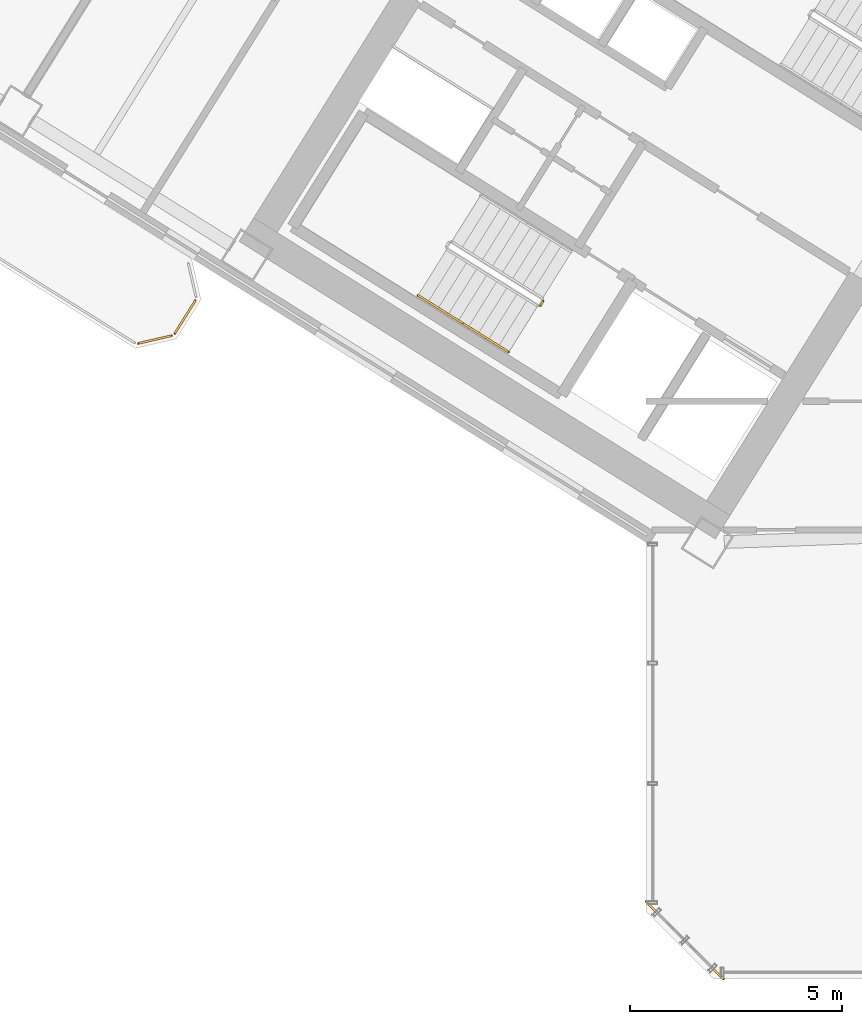
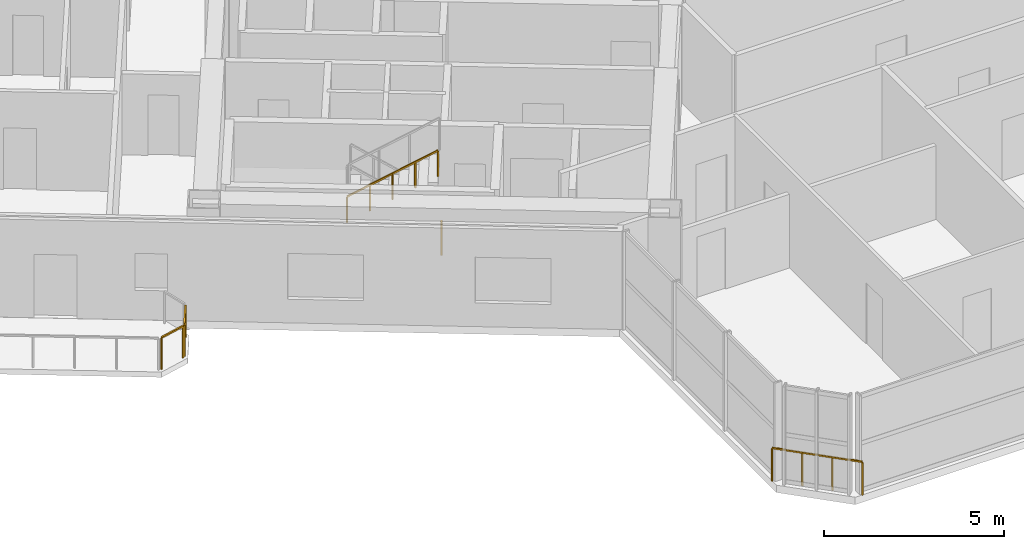
# One storey, part 18 of 22: 6 railings.
"""IFC4 building model written with IfcOpenShell, lengths in metres."""

import ifcopenshell
import ifcopenshell.guid

model = None  # the IFC model being written
_history = None  # IfcOwnerHistory: only IFC2X3 demands one
_inside = {}  # id of a spatial element -> (the spatial element, [elements in it])
_under = {}  # id of a project, library or spatial element -> (it, [spatial elements below it])
_declared = {}  # id of a project -> (the project, [libraries it declares])
_typed = {}  # id of a type object -> (the type object, [elements of that type])
_made_of = {}  # id of a material, layer set ... -> (it, [elements and type objects made of it])


def new_model(schema):
    """Start an empty IFC model of exactly this schema.

    Asked for "IFC4X3", IfcOpenShell would pick the latest addendum, in which some entities
    have other attributes; the version numbers below select the first issue.
    IFC2X3 requires an IfcOwnerHistory on every rooted entity: one is made here for all.
    """
    global model, _history
    if schema == "IFC4X3":
        model = ifcopenshell.file(schema_version=(4, 3, 0, 0))
    else:
        model = ifcopenshell.file(schema=schema)
    _inside.clear()
    _under.clear()
    _declared.clear()
    _typed.clear()
    _made_of.clear()
    _history = None
    if model.schema == "IFC2X3":
        org = make("IfcOrganization", Name="unknown")
        user = make(
            "IfcPersonAndOrganization",
            ThePerson=make("IfcPerson", FamilyName="unknown"),
            TheOrganization=org,
        )
        app = make(
            "IfcApplication",
            ApplicationDeveloper=org,
            Version="unknown",
            ApplicationFullName="unknown",
            ApplicationIdentifier="unknown",
        )
        _history = make(
            "IfcOwnerHistory",
            OwningUser=user,
            OwningApplication=app,
            ChangeAction="ADDED",
            CreationDate=0,
        )
    return model


def make(cls, **values):
    """One entity of the class cls with the attributes given. An attribute that is None is left unset."""
    return model.create_entity(
        cls, **{name: value for name, value in values.items() if value is not None}
    )


def rooted(cls, **values):
    """An entity with a GlobalId (a new one), such as an element, a storey or a relation."""
    return make(cls, GlobalId=ifcopenshell.guid.new(), OwnerHistory=_history, **values)


def si_unit(unit_type, name, prefix=None):
    """IfcSIUnit, for example si_unit("LENGTHUNIT", "METRE", prefix="MILLI")."""
    return make("IfcSIUnit", UnitType=unit_type, Prefix=prefix, Name=name)


def assignment(units):
    """IfcUnitAssignment: the units of a project."""
    return None if units is None else make("IfcUnitAssignment", Units=units)


def point(xyz):
    """IfcCartesianPoint."""
    return None if xyz is None else make("IfcCartesianPoint", Coordinates=xyz)


def direction(xyz):
    """IfcDirection."""
    return None if xyz is None else make("IfcDirection", DirectionRatios=xyz)


def frame(location, z_axis=None, x_axis=None):
    """IfcAxis2Placement3D, a coordinate frame: its origin and axes. An axis left out is left unset."""
    return make(
        "IfcAxis2Placement3D",
        Location=point(location),
        Axis=direction(z_axis),
        RefDirection=direction(x_axis),
    )


def frame_2d(location, x_axis=None):
    """IfcAxis2Placement2D, a coordinate frame in the plane: its origin and x axis."""
    return make(
        "IfcAxis2Placement2D", Location=point(location), RefDirection=direction(x_axis)
    )


def origin():
    """The frame at (0, 0, 0) with its axes left unset."""
    return frame((0.0, 0.0, 0.0))


def origin_2d():
    """The frame at (0, 0) in the plane with its x axis left unset."""
    return frame_2d((0.0, 0.0))


def place(relative_to, where):
    """IfcLocalPlacement: puts the frame where relative to a parent placement (None: the world)."""
    return make(
        "IfcLocalPlacement", PlacementRelTo=relative_to, RelativePlacement=where
    )


def context(
    kind, dimensions, precision=None, world=None, true_north=None, identifier=None
):
    """IfcGeometricRepresentationContext, for example the 3D "Model" context."""
    return make(
        "IfcGeometricRepresentationContext",
        ContextIdentifier=identifier,
        ContextType=kind,
        CoordinateSpaceDimension=dimensions,
        Precision=precision,
        WorldCoordinateSystem=world,
        TrueNorth=true_north,
    )


def subcontext(parent, identifier, kind, view, scale=None):
    """IfcGeometricRepresentationSubContext, for example "Body" below "Model"."""
    return make(
        "IfcGeometricRepresentationSubContext",
        ContextIdentifier=identifier,
        ContextType=kind,
        ParentContext=parent,
        TargetScale=scale,
        TargetView=view,
    )


def project(units=None, contexts=None):
    """IfcProject with its units and contexts."""
    return rooted(
        "IfcProject",
        Name="project",
        RepresentationContexts=contexts,
        UnitsInContext=assignment(units),
    )


def spatial(cls, under=None, at=None, **own):
    """A site, building, storey or space (cls), placed at a placement, below another one or the project."""
    s = rooted(cls, ObjectPlacement=at, **own)
    if under is not None:
        _under.setdefault(under.id(), (under, []))[1].append(s)
    return s


def profile(cls, at=None, kind="AREA", **sizes):
    """A parametric profile (cls). Its sizes go by their IFC names, for example OverallWidth=200.0."""
    return make(cls, ProfileType=kind, Position=at, **sizes)


def rectangle(**sizes):
    """IfcRectangleProfileDef."""
    return profile("IfcRectangleProfileDef", **sizes)


def extrude(swept, where, along, depth):
    """IfcExtrudedAreaSolid: the profile swept, set in the frame where, extruded along a direction by depth."""
    return make(
        "IfcExtrudedAreaSolid",
        SweptArea=swept,
        Position=where,
        ExtrudedDirection=direction(along),
        Depth=depth,
    )


def shape(context_of_items, identifier, shape_type, items):
    """IfcShapeRepresentation: the items that make up one representation, for example the "Body"."""
    return make(
        "IfcShapeRepresentation",
        ContextOfItems=context_of_items,
        RepresentationIdentifier=identifier,
        RepresentationType=shape_type,
        Items=items,
    )


def source(mapping_origin, context_of_items, identifier, shape_type, items):
    """IfcRepresentationMap: a shape defined once, which mapped items show again and again."""
    return make(
        "IfcRepresentationMap",
        MappingOrigin=mapping_origin,
        MappedRepresentation=shape(context_of_items, identifier, shape_type, items),
    )


def transform(
    local_origin,
    x_axis=None,
    y_axis=None,
    z_axis=None,
    scale=None,
    scale2=None,
    scale3=None,
    uniform=True,
):
    """IfcCartesianTransformationOperator3D, or its non-uniform kind. x_axis, y_axis, z_axis: its Axis1, 2, 3."""
    if uniform:
        return make(
            "IfcCartesianTransformationOperator3D",
            Axis1=direction(x_axis),
            Axis2=direction(y_axis),
            LocalOrigin=point(local_origin),
            Scale=scale,
            Axis3=direction(z_axis),
        )
    return make(
        "IfcCartesianTransformationOperator3DnonUniform",
        Axis1=direction(x_axis),
        Axis2=direction(y_axis),
        LocalOrigin=point(local_origin),
        Scale=scale,
        Axis3=direction(z_axis),
        Scale2=scale2,
        Scale3=scale3,
    )


def mapped(mapping_source, mapping_target):
    """IfcMappedItem: shows the shape of a source again, moved by a transform."""
    return make(
        "IfcMappedItem", MappingSource=mapping_source, MappingTarget=mapping_target
    )


def material(Name=None, Category=None):
    """IfcMaterial."""
    return make("IfcMaterial", Name=Name, Category=Category)


def made_of(thing, what):
    """Note that an element or type object is made of a material, layer set ...; save() writes the relation."""
    if what is not None:
        _made_of.setdefault(what.id(), (what, []))[1].append(thing)
    return thing


def type_object(cls, material=None, **own):
    """A type object (cls), such as IfcWallType, which elements share."""
    return made_of(rooted(cls, **own), material)


def element(
    cls,
    number,
    at=None,
    inside=None,
    cuts=None,
    type_object=None,
    material=None,
    context=None,
    identifier="Body",
    shape_type=None,
    held_by="IfcProductDefinitionShape",
    body=None,
    shapes=None,
    **own,
):
    """One element of the class cls, such as IfcWall. Its Tag is "e" and its number.

    at: its placement. inside: the storey or other place that contains it. cuts: it is an
    opening in that element (IfcRelVoidsElement). A single representation is given by context,
    identifier, shape_type and body (its items); several are given by shapes. held_by: the class
    of the entity that holds the representations. save() writes the other relations.
    """
    e = rooted(cls, Tag="e%d" % number, ObjectPlacement=at, **own)
    if body is not None:
        shapes = [shape(context, identifier, shape_type, body)]
    if shapes is not None:
        e.Representation = make(held_by, Representations=shapes)
    if inside is not None:
        _inside.setdefault(inside.id(), (inside, []))[1].append(e)
    if cuts is not None:
        rooted(
            "IfcRelVoidsElement", RelatingBuildingElement=cuts, RelatedOpeningElement=e
        )
    if type_object is not None:
        _typed.setdefault(type_object.id(), (type_object, []))[1].append(e)
    return made_of(e, material)


def aggregate(whole, parts):
    """IfcRelAggregates: a whole, such as a stair, and the parts it consists of."""
    return rooted("IfcRelAggregates", RelatingObject=whole, RelatedObjects=parts)


def save(model, path):
    """Write the relations noted so far, then the file.

    IfcRelAggregates (storeys below a building ...), IfcRelContainedInSpatialStructure (elements
    in a storey), IfcRelDefinesByType, IfcRelAssociatesMaterial and IfcRelDeclares: one each for
    every whole, place, type object, material and project.
    """
    for whole, parts in _under.values():
        aggregate(whole, parts)
    for where, things in _inside.values():
        rooted(
            "IfcRelContainedInSpatialStructure",
            RelatedElements=things,
            RelatingStructure=where,
        )
    for kind, things in _typed.values():
        rooted("IfcRelDefinesByType", RelatedObjects=things, RelatingType=kind)
    for what, things in _made_of.values():
        rooted("IfcRelAssociatesMaterial", RelatedObjects=things, RelatingMaterial=what)
    for by, libraries in _declared.values():
        rooted("IfcRelDeclares", RelatingContext=by, RelatedDefinitions=libraries)
    model.write(path)


model = new_model("IFC4")

# Units and contexts
model_context = context("Model", 3, precision=1e-05, world=origin(), true_north=direction((0.0, 1.0)))
body_context = subcontext(model_context, "Body", "Model", "MODEL_VIEW")
ifc_project = project(units=[si_unit("LENGTHUNIT", "METRE"), si_unit("AREAUNIT", "SQUARE_METRE"), si_unit("VOLUMEUNIT", "CUBIC_METRE"), si_unit("PLANEANGLEUNIT", "RADIAN"), si_unit("MASSUNIT", "GRAM", prefix="KILO")], contexts=[model_context])

# Site, building, storey
site_placement = place(None, origin())
site = spatial("IfcSite", under=ifc_project, at=site_placement, CompositionType="ELEMENT")
building_placement = place(site_placement, origin())
building = spatial("IfcBuilding", under=site, at=building_placement, Name="Tlacorven Tower", CompositionType="ELEMENT")
storey_placement = place(building_placement, frame((0.0, 0.0, 97.199951171875)))
storey = spatial("IfcBuildingStorey", under=building, at=storey_placement, Name="L24", CompositionType="ELEMENT", Elevation=97.199951171875)

# Railings
ifc_material = material(Name="Aluminium and painted steel balustrade", Category="steel")
railing_type_1 = type_object("IfcRailingType", Name="RL-BAL-1100", PredefinedType="BALUSTRADE", material=ifc_material)
shared_shape_1 = source(origin(), body_context, "Body", "SweptSolid", [
    extrude(rectangle(XDim=0.048095703125, YDim=0.048095703125, at=origin_2d()), frame((0.0, 0.0, 1.076171875), z_axis=(-0.52987865805, -0.848073468364, 0.0), x_axis=(0.848073468364, -0.52987865805, 0.0)), (0.0, 0.0, 1.0), 0.912353515625),
    extrude(rectangle(XDim=0.0419921875, YDim=0.0419921875, at=origin_2d()), origin(), (0.0, 0.0, 1.0), 1.052001953125),
    extrude(rectangle(XDim=0.0419921875, YDim=0.0419921875, at=origin_2d()), frame((-0.4833984375, -0.773681640625, 0.0)), (0.0, 0.0, 1.0), 1.052001953125),
])
railing_1_placement = place(storey_placement, frame((20.976318359375, 17.793701171875, 0.0)))
element("IfcRailing", 1, at=railing_1_placement, inside=storey, type_object=railing_type_1, Name="BAL-L24-W-OUT Guard Railing 2", PredefinedType="BALUSTRADE", context=body_context, shape_type="MappedRepresentation", body=[
    mapped(shared_shape_1, transform((0.0, 0.0, 0.0), scale=1.0)),
])
shared_shape_2 = source(origin(), body_context, "Body", "SweptSolid", [
    extrude(rectangle(XDim=0.048095703125, YDim=0.048095703125, at=origin_2d()), frame((0.0, 0.0, 1.076171875), z_axis=(-0.974345290916, -0.225058334816, 0.0), x_axis=(0.225058334816, -0.974345290916, 0.0)), (0.0, 0.0, 1.0), 0.80712890625),
    extrude(rectangle(XDim=0.0419921875, YDim=0.0419921875, at=origin_2d()), origin(), (0.0, 0.0, 1.0), 1.052001953125),
    extrude(rectangle(XDim=0.0419921875, YDim=0.0419921875, at=origin_2d()), frame((-0.786376953125, -0.181640625, 0.0)), (0.0, 0.0, 1.0), 1.052001953125),
])
railing_2_placement = place(storey_placement, frame((20.417724609375, 16.966552734375, 0.0)))
element("IfcRailing", 2, at=railing_2_placement, inside=storey, type_object=railing_type_1, Name="BAL-L24-W-OUT Guard Railing 3", PredefinedType="BALUSTRADE", context=body_context, shape_type="MappedRepresentation", body=[
    mapped(shared_shape_2, transform((0.0, 0.0, 0.0), scale=1.0)),
])
railing_type_2 = type_object("IfcRailingType", Name="RL-GRD-1150", PredefinedType="GUARDRAIL", material=ifc_material)
shared_shape_3 = source(origin(), body_context, "Body", "SweptSolid", [
    extrude(rectangle(XDim=0.048095703125, YDim=0.048095703125, at=origin_2d()), frame((0.0, 0.0, 1.1259765625), z_axis=(-0.707106781187, 0.707106781187, 0.0), x_axis=(-0.707106781187, -0.707106781187, 0.0)), (0.0, 0.0, 1.0), 2.590087890625),
    extrude(rectangle(XDim=0.0419921875, YDim=0.0419921875, at=origin_2d()), origin(), (0.0, 0.0, 1.0), 1.101806640625),
    extrude(rectangle(XDim=0.0419921875, YDim=0.0419921875, at=origin_2d()), frame((-0.610595703125, 0.610595703125, 0.0)), (0.0, 0.0, 1.0), 1.101806640625),
    extrude(rectangle(XDim=0.0419921875, YDim=0.0419921875, at=origin_2d()), frame((-1.220947265625, 1.220947265625, 0.0)), (0.0, 0.0, 1.0), 1.101806640625),
    extrude(rectangle(XDim=0.0419921875, YDim=0.0419921875, at=origin_2d()), frame((-1.83154296875, 1.83154296875, 0.0)), (0.0, 0.0, 1.0), 1.101806640625),
])
railing_3_placement = place(storey_placement, frame((33.428955078125, 1.79736328125, 0.0)))
element("IfcRailing", 3, at=railing_3_placement, inside=storey, type_object=railing_type_2, Name="L24 Knuckle Glazed Sill Guard 1", PredefinedType="GUARDRAIL", context=body_context, shape_type="MappedRepresentation", body=[
    mapped(shared_shape_3, transform((0.0, 0.0, 0.0), scale=1.0)),
])
railing_type_3 = type_object("IfcRailingType", Name="RL-GRD-1100", PredefinedType="GUARDRAIL", material=ifc_material)
shared_shape_4 = source(origin(), body_context, "Body", "SweptSolid", [
    extrude(rectangle(XDim=0.048095703125, YDim=0.048095703125, at=origin_2d()), frame((0.0, 0.0, 1.076171875), z_axis=(-0.529084052582, -0.848569422795, 0.0), x_axis=(0.848569422795, -0.529084052582, 0.0)), (0.0, 0.0, 1.0), 0.119873046875),
    extrude(rectangle(XDim=0.0419921875, YDim=0.0419921875, at=origin_2d()), origin(), (0.0, 0.0, 1.0), 1.052001953125),
    extrude(rectangle(XDim=0.0419921875, YDim=0.0419921875, at=origin_2d()), frame((-0.0634765625, -0.101806640625, 0.0)), (0.0, 0.0, 1.0), 1.052001953125),
])
railing_4_placement = place(storey_placement, frame((29.176513671875, 17.782958984375, 0.0)))
element("IfcRailing", 4, at=railing_4_placement, inside=storey, type_object=railing_type_3, Name="L24 ST-W1 stair guard 4", PredefinedType="GUARDRAIL", context=body_context, shape_type="MappedRepresentation", body=[
    mapped(shared_shape_4, transform((0.0, 0.0, 0.0), scale=1.0)),
])
railing_type_4 = type_object("IfcRailingType", Name="RL-HND-0900", PredefinedType="HANDRAIL", material=ifc_material)
shared_shape_5 = source(origin(), body_context, "Body", "SweptSolid", [
    extrude(rectangle(XDim=0.048095703125, YDim=0.048095703125, at=origin_2d()), frame((0.0, 0.0, 0.8759765625), z_axis=(0.713359751793, -0.4457479829, 0.540764828981), x_axis=(0.529911857636, 0.848052724267, 0.0)), (0.0, 0.0, 1.0), 1.498046875),
    extrude(rectangle(XDim=0.0419921875, YDim=0.0419921875, at=origin_2d()), origin(), (0.0, 0.0, 1.0), 0.851806640625),
    extrude(rectangle(XDim=0.0419921875, YDim=0.0419921875, at=origin_2d()), frame((0.5341796875, -0.333984375, 0.405029296875)), (0.0, 0.0, 1.0), 0.851806640625),
    extrude(rectangle(XDim=0.0419921875, YDim=0.0419921875, at=origin_2d()), frame((1.068603515625, -0.667724609375, 0.81005859375)), (0.0, 0.0, 1.0), 0.851806640625),
])
railing_5_placement = place(storey_placement, frame((26.228759765625, 17.915283203125, 1.97998046875)))
element("IfcRailing", 5, at=railing_5_placement, inside=storey, type_object=railing_type_4, Name="L24 ST-W1 stair handrail 3", PredefinedType="HANDRAIL", context=body_context, shape_type="MappedRepresentation", body=[
    mapped(shared_shape_5, transform((0.0, 0.0, 0.0), scale=1.0)),
])
shared_shape_6 = source(origin(), body_context, "Body", "SweptSolid", [
    extrude(rectangle(XDim=0.048095703125, YDim=0.048095703125, at=origin_2d()), frame((0.0, 0.0, 0.8759765625), z_axis=(0.713279695859, -0.445799809912, 0.540827703579), x_axis=(0.529998940003, 0.847998304005, 0.0)), (0.0, 0.0, 1.0), 1.497802734375),
    extrude(rectangle(XDim=0.0419921875, YDim=0.0419921875, at=origin_2d()), origin(), (0.0, 0.0, 1.0), 0.851806640625),
    extrude(rectangle(XDim=0.0419921875, YDim=0.0419921875, at=origin_2d()), frame((0.5341796875, -0.333984375, 0.405029296875)), (0.0, 0.0, 1.0), 0.851806640625),
    extrude(rectangle(XDim=0.0419921875, YDim=0.0419921875, at=origin_2d()), frame((1.068359375, -0.667724609375, 0.81005859375)), (0.0, 0.0, 1.0), 0.851806640625),
])
railing_6_placement = place(storey_placement, frame((27.29736328125, 17.24755859375, 2.7900390625)))
element("IfcRailing", 6, at=railing_6_placement, inside=storey, type_object=railing_type_4, Name="L24 ST-W1 stair handrail 4", PredefinedType="HANDRAIL", context=body_context, shape_type="MappedRepresentation", body=[
    mapped(shared_shape_6, transform((0.0, 0.0, 0.0), scale=1.0)),
])

save(model, "model.ifc")
